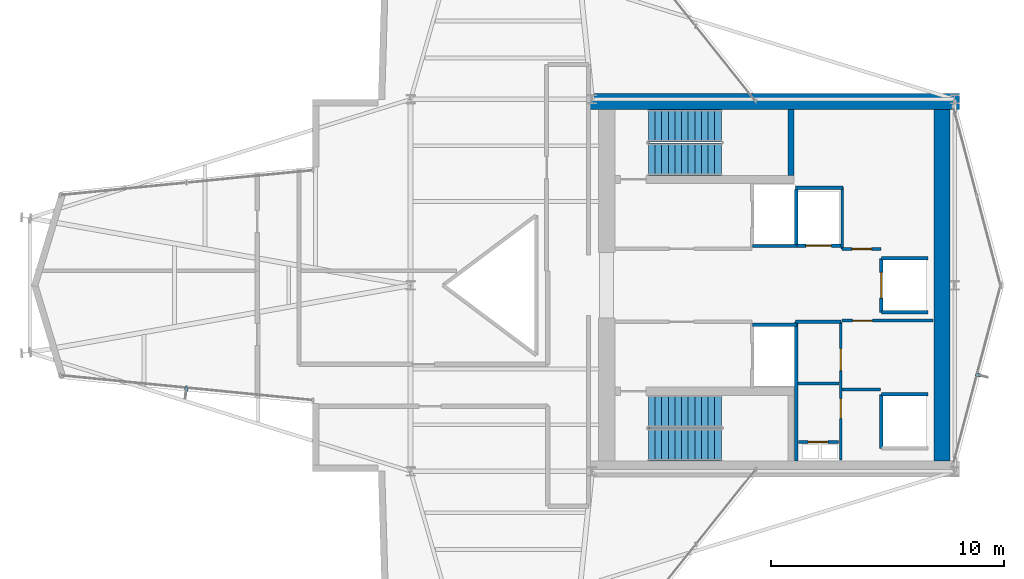
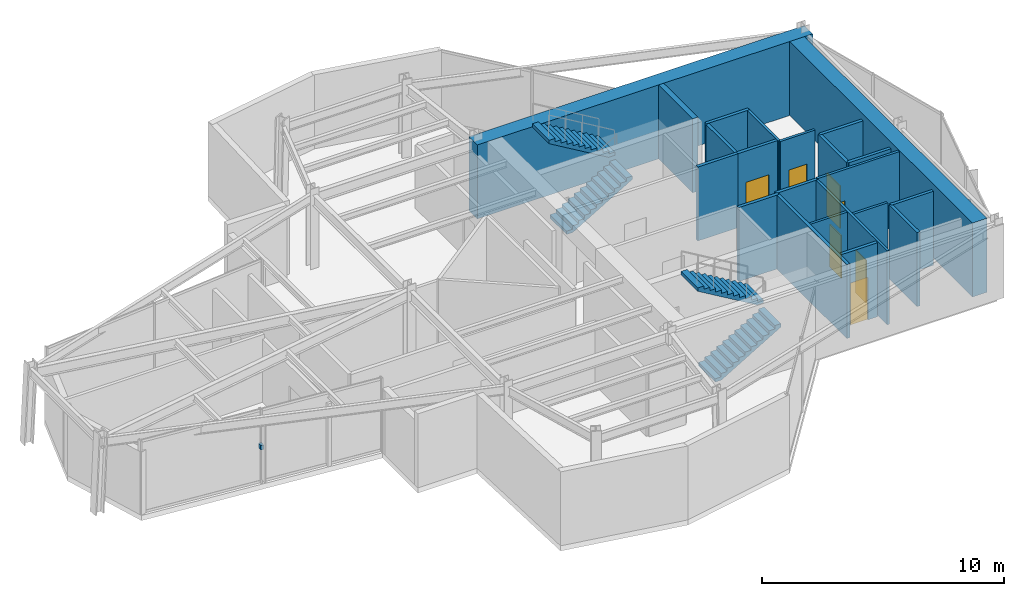
# One storey, part 22 of 23: 22 walls, 7 doors, 4 stair flights, 2 discrete accessories, 7 openings, 2 elements without a shape of their own.
"""IFC4 building model written with IfcOpenShell, lengths in metres."""

from ifc_helpers import new_model, si_unit, direction, frame, frame_2d, origin, origin_2d, place, context, subcontext, project, spatial, polyline, rectangle, outline, extrude, material, layer, layer_set, type_object, element, fill, aggregate, save


model = new_model("IFC4")

# Units and contexts
model_context = context("Model", 3, precision=1e-05, world=origin(), true_north=direction((0.0, 1.0)))
body_context = subcontext(model_context, "Body", "Model", "MODEL_VIEW")
ifc_project = project(units=[si_unit("LENGTHUNIT", "METRE"), si_unit("AREAUNIT", "SQUARE_METRE"), si_unit("VOLUMEUNIT", "CUBIC_METRE"), si_unit("PLANEANGLEUNIT", "RADIAN"), si_unit("MASSUNIT", "GRAM", prefix="KILO")], contexts=[model_context])

# Site, building, storey
site_placement = place(None, origin())
site = spatial("IfcSite", under=ifc_project, at=site_placement, CompositionType="ELEMENT")
building_placement = place(site_placement, origin())
building = spatial("IfcBuilding", under=site, at=building_placement, Name="Veymaron Broadcast Tower", CompositionType="ELEMENT")
storey_placement = place(building_placement, frame((0.0, 0.0, 252.60009765625)))
storey = spatial("IfcBuildingStorey", under=building, at=storey_placement, Name="L59", CompositionType="ELEMENT", Elevation=252.60009765625)

# Walls
ifc_material_1 = material(Name="Gypsum fireboard and steel stud framing", Category="steel")
ifc_layer_1 = layer(ifc_material_1, 0.14990234375)
ifc_layer_set_1 = layer_set([ifc_layer_1], Name="Gypsum fireboard and steel stud framing")
wall_type_1 = type_object("IfcWallType", Name="WALL-FIRE-150", PredefinedType="PARTITIONING", material=ifc_layer_set_1)
for number, where, z_axis, x_axis, name in (
    (1, (45.89501953125, 25.68994140625, 0.0), (0.0, 0.0, 1.0), (1.0, 0.0, 0.0), "L59 partition IW-L59-SHS-FFL-1"),
    (2, (45.89501953125, 22.31005859375, 0.0), (0.0, 0.0, 1.0), (1.0, 0.0, 0.0), "L59 partition IW-L59-SHN-FFL-2"),
):
    element("IfcWall", number, at=place(storey_placement, frame(where, z_axis=z_axis, x_axis=x_axis)), inside=storey, type_object=wall_type_1, Name=name, PredefinedType="PARTITIONING", context=body_context, shape_type="SweptSolid", body=[
        extrude(rectangle(XDim=1.9150390625, YDim=0.14990234375, at=frame_2d((0.95751953125, 0.0))), origin(), (0.0, 0.0, 1.0), 3.72998046875),
    ])

# Wall, opening, door
wall_1_placement = place(storey_placement, frame((47.7900390625, 25.695068359375, 0.0), z_axis=(0.0, 0.0, 1.0), x_axis=(1.0, 0.0, 0.0)))
wall_1 = element("IfcWall", 3, at=wall_1_placement, inside=storey, type_object=wall_type_1, Name="L59 partition IW-L59-SHS-SL-1", PredefinedType="PARTITIONING", context=body_context, shape_type="SweptSolid", body=[
    extrude(rectangle(XDim=1.919921875, YDim=0.14990234375, at=frame_2d((0.9599609375, 0.0))), origin(), (0.0, 0.0, 1.0), 3.72998046875),
])
opening_1_placement = place(wall_1_placement, frame((0.409912109375, 0.0, 0.0)))
opening_1 = element("IfcOpeningElement", 4, at=opening_1_placement, cuts=wall_1, Name="Opening LD", PredefinedType="OPENING", context=body_context, shape_type="SweptSolid", body=[
    extrude(rectangle(XDim=1.10009765625, YDim=2.14990234375, at=frame_2d((0.550048828125, 1.074951171875))), frame((0.0, 0.0849609375, 0.0), z_axis=(0.0, -1.0, 0.0), x_axis=(1.0, 0.0, 0.0)), (0.0, 0.0, 1.0), 0.169921875),
])
ifc_material_2 = material(Name="Brushed stainless steel AISI 304", Category="steel")
door_type_1 = type_object("IfcDoorType", Name="DOOR-LIFT-1100", OperationType="DOUBLE_DOOR_SLIDING", PredefinedType="DOOR", material=ifc_material_2)
door_1_placement = place(opening_1_placement, frame((1.10009765625, 0.0, 0.0), z_axis=(0.0, 0.0, 1.0), x_axis=(-1.0, 0.0, 0.0)))
door_1 = element("IfcDoor", 5, at=door_1_placement, inside=storey, type_object=door_type_1, Name="L59 door LD-L59-SL-1", OperationType="DOUBLE_DOOR_SLIDING", OverallHeight=2.14990234375, OverallWidth=1.10009765625, PredefinedType="DOOR", context=body_context, shape_type="SweptSolid", body=[
    extrude(rectangle(XDim=1.10009765625, YDim=2.14990234375, at=frame_2d((0.550048828125, 1.074951171875))), frame((0.0, 0.02490234375, 0.0), z_axis=(0.0, -1.0, 0.0), x_axis=(1.0, 0.0, 0.0)), (0.0, 0.0, 1.0), 0.050048828125),
])
fill(opening_1, door_1)

# Wall
wall_2_placement = place(storey_placement, frame((47.7900390625, 25.695068359375, 0.0), z_axis=(0.0, 0.0, 1.0), x_axis=(0.0, 1.0, 0.0)))
element("IfcWall", 6, at=wall_2_placement, inside=storey, type_object=wall_type_1, Name="L59 partition IW-L59-SHW-SL-1", PredefinedType="PARTITIONING", context=body_context, shape_type="SweptSolid", body=[
    extrude(rectangle(XDim=2.4150390625, YDim=0.14990234375, at=frame_2d((1.20751953125, 0.0))), origin(), (0.0, 0.0, 1.0), 3.72998046875),
])

# Wall, opening, door
wall_3_placement = place(storey_placement, frame((51.445068359375, 22.840087890625, 0.0), z_axis=(0.0, 0.0, 1.0), x_axis=(0.0, 1.0, 0.0)))
wall_3 = element("IfcWall", 7, at=wall_3_placement, inside=storey, type_object=wall_type_1, Name="L59 partition IW-L59-SHW-PM3", PredefinedType="PARTITIONING", context=body_context, shape_type="SweptSolid", body=[
    extrude(rectangle(XDim=2.31982421875, YDim=0.14990234375, at=frame_2d((1.159912109375, 0.0))), origin(), (0.0, 0.0, 1.0), 3.72998046875),
])
opening_2_placement = place(wall_3_placement, frame((0.610107421875, 0.0, 0.0)))
opening_2 = element("IfcOpeningElement", 8, at=opening_2_placement, cuts=wall_3, Name="Opening LD", PredefinedType="OPENING", context=body_context, shape_type="SweptSolid", body=[
    extrude(rectangle(XDim=1.10009765625, YDim=2.14990234375, at=frame_2d((0.550048828125, 1.074951171875))), frame((0.0, 0.0849609375, 0.0), z_axis=(0.0, -1.0, 0.0), x_axis=(1.0, 0.0, 0.0)), (0.0, 0.0, 1.0), 0.169921875),
])
door_2_placement = place(opening_2_placement, frame((1.10009765625, 0.0, 0.0), z_axis=(0.0, 0.0, 1.0), x_axis=(-1.0, 0.0, 0.0)))
door_2 = element("IfcDoor", 9, at=door_2_placement, inside=storey, type_object=door_type_1, Name="L59 door LD-L59-PM3", OperationType="DOUBLE_DOOR_SLIDING", OverallHeight=2.14990234375, OverallWidth=1.10009765625, PredefinedType="DOOR", context=body_context, shape_type="SweptSolid", body=[
    extrude(rectangle(XDim=1.10009765625, YDim=2.14990234375, at=frame_2d((0.550048828125, 1.074951171875))), frame((0.0, 0.02490234375, 0.0), z_axis=(0.0, -1.0, 0.0), x_axis=(1.0, 0.0, 0.0)), (0.0, 0.0, 1.0), 0.050048828125),
])
fill(opening_2, door_2)

# Walls
for number, where, z_axis, x_axis, name in (
    (10, (51.445068359375, 22.840087890625, 0.0), (0.0, 0.0, 1.0), (1.0, 0.0, 0.0), "L59 partition IW-L59-SHS-PM3"),
    (11, (51.445068359375, 25.159912109375, 0.0), (0.0, 0.0, 1.0), (1.0, 0.0, 0.0), "L59 partition IW-L59-SHN-PM3"),
):
    element("IfcWall", number, at=place(storey_placement, frame(where, z_axis=z_axis, x_axis=x_axis)), inside=storey, type_object=wall_type_1, Name=name, PredefinedType="PARTITIONING", context=body_context, shape_type="SweptSolid", body=[
        extrude(rectangle(XDim=2.014892578125, YDim=0.14990234375, at=frame_2d((1.00732421875, 0.0))), origin(), (0.0, 0.0, 1.0), 3.72998046875),
    ])
wall_4_placement = place(storey_placement, frame((51.445068359375, 16.989990234375, 0.0), z_axis=(0.0, 0.0, 1.0), x_axis=(0.0, 1.0, 0.0)))
element("IfcWall", 12, at=wall_4_placement, inside=storey, type_object=wall_type_1, Name="L59 partition IW-L59-SHW-PH1", PredefinedType="PARTITIONING", context=body_context, shape_type="SweptSolid", body=[
    extrude(rectangle(XDim=2.320068359375, YDim=0.14990234375, at=frame_2d((1.16015625, 0.0))), origin(), (0.0, 0.0, 1.0), 3.72998046875),
])
wall_5_placement = place(storey_placement, frame((51.445068359375, 19.31005859375, 0.0), z_axis=(0.0, 0.0, 1.0), x_axis=(1.0, 0.0, 0.0)))
element("IfcWall", 13, at=wall_5_placement, inside=storey, type_object=wall_type_1, Name="L59 partition IW-L59-SHN-PH1", PredefinedType="PARTITIONING", context=body_context, shape_type="SweptSolid", body=[
    extrude(rectangle(XDim=2.014892578125, YDim=0.14990234375, at=frame_2d((1.00732421875, 0.0))), origin(), (0.0, 0.0, 1.0), 3.72998046875),
])

# Wall, opening, door
wall_6_placement = place(storey_placement, frame((47.8798828125, 17.260009765625, 0.0), z_axis=(0.0, 0.0, 1.0), x_axis=(1.0, 0.0, 0.0)))
wall_6 = element("IfcWall", 14, at=wall_6_placement, inside=storey, type_object=wall_type_1, Name="L59 partition IW-L59-RIS-N", PredefinedType="PARTITIONING", context=body_context, shape_type="SweptSolid", body=[
    extrude(rectangle(XDim=1.72021484375, YDim=0.14990234375, at=frame_2d((0.860107421875, 0.0))), origin(), (0.0, 0.0, 1.0), 3.72998046875),
])
opening_3_placement = place(wall_6_placement, frame((0.419921875, 0.0, 0.0)))
opening_3 = element("IfcOpeningElement", 15, at=opening_3_placement, cuts=wall_6, Name="Opening ID-RS1", PredefinedType="OPENING", context=body_context, shape_type="SweptSolid", body=[
    extrude(rectangle(XDim=0.85009765625, YDim=2.14990234375, at=frame_2d((0.425048828125, 1.074951171875))), frame((0.0, 0.0849609375, 0.0), z_axis=(0.0, -1.0, 0.0), x_axis=(1.0, 0.0, 0.0)), (0.0, 0.0, 1.0), 0.169921875),
])
ifc_material_3 = material(Name="Fire-rated powder-coated steel riser leaf", Category="steel")
door_type_2 = type_object("IfcDoorType", Name="DOOR-RIS-850", OperationType="NOTDEFINED", PredefinedType="TRAPDOOR", material=ifc_material_3)
door_3_placement = place(opening_3_placement, origin())
door_3 = element("IfcDoor", 16, at=door_3_placement, inside=storey, type_object=door_type_2, Name="L59 door DR-L59-RIS", OperationType="SINGLE_SWING_LEFT", OverallHeight=2.14990234375, OverallWidth=0.85009765625, PredefinedType="TRAPDOOR", context=body_context, shape_type="SweptSolid", body=[
    extrude(rectangle(XDim=0.85009765625, YDim=2.14990234375, at=frame_2d((0.425048828125, 1.074951171875))), frame((0.0, 0.02490234375, 0.0), z_axis=(0.0, -1.0, 0.0), x_axis=(1.0, 0.0, 0.0)), (0.0, 0.0, 1.0), 0.050048828125),
])
fill(opening_3, door_3)

# Walls
wall_7_placement = place(storey_placement, frame((47.760009765625, 22.425048828125, 0.0), z_axis=(0.0, 0.0, 1.0), x_axis=(1.0, 0.0, 0.0)))
element("IfcWall", 17, at=wall_7_placement, inside=storey, type_object=wall_type_1, Name="L59 partition IW-L59-SM-N", PredefinedType="PARTITIONING", context=body_context, shape_type="SweptSolid", body=[
    extrude(rectangle(XDim=1.9599609375, YDim=0.14990234375, at=frame_2d((0.97998046875, 0.0))), origin(), (0.0, 0.0, 1.0), 3.72998046875),
])
wall_8_placement = place(storey_placement, frame((47.780029296875, 16.449951171875, 0.0), z_axis=(0.0, 0.0, 1.0), x_axis=(0.0, 1.0, 0.0)))
element("IfcWall", 18, at=wall_8_placement, inside=storey, type_object=wall_type_1, Name="L59 partition IW-L59-SM-W", PredefinedType="PARTITIONING", context=body_context, shape_type="SweptSolid", body=[
    extrude(rectangle(XDim=5.97509765625, YDim=0.14990234375, at=frame_2d((2.987548828125, 0.0))), origin(), (0.0, 0.0, 1.0), 3.72998046875),
])
wall_9_placement = place(storey_placement, frame((47.760009765625, 28.199951171875, 0.0), z_axis=(0.0, 0.0, 1.0), x_axis=(1.0, 0.0, 0.0)))
element("IfcWall", 19, at=wall_9_placement, inside=storey, type_object=wall_type_1, Name="L59 partition IW-L59-F2-SW", PredefinedType="PARTITIONING", context=body_context, shape_type="SweptSolid", body=[
    extrude(rectangle(XDim=2.0400390625, YDim=0.14990234375, at=frame_2d((1.02001953125, 0.0))), origin(), (0.0, 0.0, 1.0), 3.72998046875),
])
ifc_material_4 = material(Name="Acoustic gypsum board and galvanized stud", Category="gypsum")
ifc_layer_2 = layer(ifc_material_4, 0.1201171875)
ifc_layer_set_2 = layer_set([ifc_layer_2], Name="Acoustic gypsum board and galvanized stud")
wall_type_2 = type_object("IfcWallType", Name="WALL-PART-120", PredefinedType="PARTITIONING", material=ifc_layer_set_2)
wall_10_placement = place(storey_placement, frame((47.860107421875, 19.780029296875, 0.0), z_axis=(0.0, 0.0, 1.0), x_axis=(1.0, 0.0, 0.0)))
element("IfcWall", 20, at=wall_10_placement, inside=storey, type_object=wall_type_2, Name="L59 partition IW-L59-SM-DIV", PredefinedType="PARTITIONING", context=body_context, shape_type="SweptSolid", body=[
    extrude(rectangle(XDim=1.760009765625, YDim=0.1201171875, at=frame_2d((0.8798828125, 0.0))), origin(), (0.0, 0.0, 1.0), 3.72998046875),
])

# Wall, openings, doors
wall_11_placement = place(storey_placement, frame((49.699951171875, 16.47998046875, 0.0), z_axis=(0.0, 0.0, 1.0), x_axis=(0.0, 1.0, 0.0)))
wall_11 = element("IfcWall", 21, at=wall_11_placement, inside=storey, type_object=wall_type_2, Name="L59 partition IW-L59-SM-E", PredefinedType="PARTITIONING", context=body_context, shape_type="SweptSolid", body=[
    extrude(rectangle(XDim=5.945068359375, YDim=0.1201171875, at=frame_2d((2.97265625, 0.0))), origin(), (0.0, 0.0, 1.0), 3.72998046875),
])
opening_4_placement = place(wall_11_placement, frame((1.800048828125, 0.0, 0.0)))
opening_4 = element("IfcOpeningElement", 22, at=opening_4_placement, cuts=wall_11, Name="Opening ID-WC1", PredefinedType="OPENING", context=body_context, shape_type="SweptSolid", body=[
    extrude(rectangle(XDim=0.85009765625, YDim=2.14990234375, at=frame_2d((0.425048828125, 1.074951171875))), frame((0.0, 0.070068359375, 0.0), z_axis=(0.0, -1.0, 0.0), x_axis=(1.0, 0.0, 0.0)), (0.0, 0.0, 1.0), 0.14013671875),
])
opening_5_placement = place(wall_11_placement, frame((3.85009765625, 0.0, 0.0)))
opening_5 = element("IfcOpeningElement", 23, at=opening_5_placement, cuts=wall_11, Name="Opening ID-RM1", PredefinedType="OPENING", context=body_context, shape_type="SweptSolid", body=[
    extrude(rectangle(XDim=0.949951171875, YDim=2.14990234375, at=frame_2d((0.47509765625, 1.074951171875))), frame((0.0, 0.070068359375, 0.0), z_axis=(0.0, -1.0, 0.0), x_axis=(1.0, 0.0, 0.0)), (0.0, 0.0, 1.0), 0.14013671875),
])
ifc_material_5 = material(Name="Moisture-resistant high-pressure laminate timber", Category="wood")
door_type_3 = type_object("IfcDoorType", Name="DOOR-INT-850", OperationType="NOTDEFINED", PredefinedType="DOOR", material=ifc_material_5)
door_4_placement = place(opening_4_placement, frame((0.85009765625, 0.0, 0.0), z_axis=(0.0, 0.0, 1.0), x_axis=(-1.0, 0.0, 0.0)))
door_4 = element("IfcDoor", 24, at=door_4_placement, inside=storey, type_object=door_type_3, Name="L59 door DR-L59-SWC", OperationType="SINGLE_SWING_LEFT", OverallHeight=2.14990234375, OverallWidth=0.85009765625, PredefinedType="DOOR", context=body_context, shape_type="SweptSolid", body=[
    extrude(rectangle(XDim=0.85009765625, YDim=2.14990234375, at=frame_2d((0.425048828125, 1.074951171875))), frame((0.0, 0.02490234375, 0.0), z_axis=(0.0, -1.0, 0.0), x_axis=(1.0, 0.0, 0.0)), (0.0, 0.0, 1.0), 0.050048828125),
])
fill(opening_4, door_4)
ifc_material_6 = material(Name="Acoustic solid-core European oak veneer timber", Category="wood")
door_type_4 = type_object("IfcDoorType", Name="DOOR-INT-950", OperationType="NOTDEFINED", PredefinedType="DOOR", material=ifc_material_6)
door_5_placement = place(opening_5_placement, frame((0.949951171875, 0.0, 0.0), z_axis=(0.0, 0.0, 1.0), x_axis=(-1.0, 0.0, 0.0)))
door_5 = element("IfcDoor", 25, at=door_5_placement, inside=storey, type_object=door_type_4, Name="L59 door DR-L59-AWC", OperationType="SINGLE_SWING_RIGHT", OverallHeight=2.14990234375, OverallWidth=0.949951171875, PredefinedType="DOOR", context=body_context, shape_type="SweptSolid", body=[
    extrude(rectangle(XDim=0.949951171875, YDim=2.14990234375, at=frame_2d((0.47509765625, 1.074951171875))), frame((0.0, 0.02490234375, 0.0), z_axis=(0.0, -1.0, 0.0), x_axis=(1.0, 0.0, 0.0)), (0.0, 0.0, 1.0), 0.050048828125),
])
fill(opening_5, door_5)

# Wall, opening, door
wall_12_placement = place(storey_placement, frame((49.760009765625, 22.47998046875, 0.0), z_axis=(0.0, 0.0, 1.0), x_axis=(1.0, 0.0, 0.0)))
wall_12 = element("IfcWall", 26, at=wall_12_placement, inside=storey, type_object=wall_type_2, Name="L59 partition IW-L59-F2S-N", PredefinedType="PARTITIONING", context=body_context, shape_type="SweptSolid", body=[
    extrude(rectangle(XDim=3.89990234375, YDim=0.1201171875, at=frame_2d((1.949951171875, 0.0))), origin(), (0.0, 0.0, 1.0), 3.72998046875),
])
opening_6_placement = place(wall_12_placement, frame((0.449951171875, 0.0, 0.0)))
opening_6 = element("IfcOpeningElement", 27, at=opening_6_placement, cuts=wall_12, Name="Opening ID-WC1", PredefinedType="OPENING", context=body_context, shape_type="SweptSolid", body=[
    extrude(rectangle(XDim=0.85009765625, YDim=2.14990234375, at=frame_2d((0.425048828125, 1.074951171875))), frame((0.0, 0.070068359375, 0.0), z_axis=(0.0, -1.0, 0.0), x_axis=(1.0, 0.0, 0.0)), (0.0, 0.0, 1.0), 0.14013671875),
])
door_6_placement = place(opening_6_placement, frame((0.85009765625, 0.0, 0.0), z_axis=(0.0, 0.0, 1.0), x_axis=(-1.0, 0.0, 0.0)))
door_6 = element("IfcDoor", 28, at=door_6_placement, inside=storey, type_object=door_type_3, Name="L59 door DR-L59-F2S", OperationType="SINGLE_SWING_LEFT", OverallHeight=2.14990234375, OverallWidth=0.85009765625, PredefinedType="DOOR", context=body_context, shape_type="SweptSolid", body=[
    extrude(rectangle(XDim=0.85009765625, YDim=2.14990234375, at=frame_2d((0.425048828125, 1.074951171875))), frame((0.0, 0.02490234375, 0.0), z_axis=(0.0, -1.0, 0.0), x_axis=(1.0, 0.0, 0.0)), (0.0, 0.0, 1.0), 0.050048828125),
])
fill(opening_6, door_6)

# Walls
wall_13_placement = place(storey_placement, frame((49.760009765625, 19.52001953125, 0.0), z_axis=(0.0, 0.0, 1.0), x_axis=(1.0, 0.0, 0.0)))
element("IfcWall", 29, at=wall_13_placement, inside=storey, type_object=wall_type_2, Name="L59 partition IW-L59-F2S-S", PredefinedType="PARTITIONING", context=body_context, shape_type="SweptSolid", body=[
    extrude(rectangle(XDim=1.639892578125, YDim=0.1201171875, at=frame_2d((0.81982421875, 0.0))), origin(), (0.0, 0.0, 1.0), 3.72998046875),
])
wall_14_placement = place(storey_placement, frame((49.760009765625, 25.56005859375, 0.0), z_axis=(0.0, 0.0, 1.0), x_axis=(0.0, 1.0, 0.0)))
element("IfcWall", 30, at=wall_14_placement, inside=storey, type_object=wall_type_2, Name="L59 partition IW-L59-F2-W1", PredefinedType="PARTITIONING", context=body_context, shape_type="SweptSolid", body=[
    extrude(rectangle(XDim=2.659912109375, YDim=0.1201171875, at=frame_2d((1.330078125, 0.0))), origin(), (0.0, 0.0, 1.0), 3.72998046875),
])

# Wall, opening, door
wall_15_placement = place(storey_placement, frame((49.760009765625, 25.56005859375, 0.0), z_axis=(0.0, 0.0, 1.0), x_axis=(1.0, 0.0, 0.0)))
wall_15 = element("IfcWall", 31, at=wall_15_placement, inside=storey, type_object=wall_type_2, Name="L59 partition IW-L59-F2-S", PredefinedType="PARTITIONING", context=body_context, shape_type="SweptSolid", body=[
    extrude(rectangle(XDim=1.659912109375, YDim=0.1201171875, at=frame_2d((0.830078125, 0.0))), origin(), (0.0, 0.0, 1.0), 3.72998046875),
])
opening_7_placement = place(wall_15_placement, frame((0.419921875, 0.0, 0.0)))
opening_7 = element("IfcOpeningElement", 32, at=opening_7_placement, cuts=wall_15, Name="Opening ID-WC1", PredefinedType="OPENING", context=body_context, shape_type="SweptSolid", body=[
    extrude(rectangle(XDim=0.85009765625, YDim=2.14990234375, at=frame_2d((0.425048828125, 1.074951171875))), frame((0.0, 0.070068359375, 0.0), z_axis=(0.0, -1.0, 0.0), x_axis=(1.0, 0.0, 0.0)), (0.0, 0.0, 1.0), 0.14013671875),
])
door_7_placement = place(opening_7_placement, origin())
door_7 = element("IfcDoor", 33, at=door_7_placement, inside=storey, type_object=door_type_3, Name="L59 door DR-L59-F2A", OperationType="SINGLE_SWING_LEFT", OverallHeight=2.14990234375, OverallWidth=0.85009765625, PredefinedType="DOOR", context=body_context, shape_type="SweptSolid", body=[
    extrude(rectangle(XDim=0.85009765625, YDim=2.14990234375, at=frame_2d((0.425048828125, 1.074951171875))), frame((0.0, 0.02490234375, 0.0), z_axis=(0.0, -1.0, 0.0), x_axis=(1.0, 0.0, 0.0)), (0.0, 0.0, 1.0), 0.050048828125),
])
fill(opening_7, door_7)

# Walls
ifc_material_7 = material(Name="Concrete C50/60", Category="concrete")
ifc_layer_3 = layer(ifc_material_7, 0.25)
ifc_layer_set_3 = layer_set([ifc_layer_3], Name="Concrete C50/60")
wall_type_3 = type_object("IfcWallType", Name="WALL-SHEAR-250", PredefinedType="SHEAR", material=ifc_layer_set_3)
wall_16_placement = place(storey_placement, frame((47.56494140625, 28.72998046875, 0.0), z_axis=(0.0, 0.0, 1.0), x_axis=(0.0, 1.0, 0.0)))
element("IfcWall", 34, at=wall_16_placement, inside=storey, type_object=wall_type_3, Name="L59 Core Wall north stair east shear", PredefinedType="SHEAR", context=body_context, shape_type="SweptSolid", body=[
    extrude(rectangle(XDim=2.820068359375, YDim=0.25, at=frame_2d((1.41015625, 0.0))), origin(), (0.0, 0.0, 1.0), 3.72998046875),
])
ifc_material_8 = material(Name="Concrete C60/75", Category="concrete")
ifc_layer_4 = layer(ifc_material_8, 0.699951171875)
ifc_layer_set_4 = layer_set([ifc_layer_4], Name="Concrete C60/75")
wall_type_4 = type_object("IfcWallType", Name="WALL-SHEAR-700", PredefinedType="SHEAR", material=ifc_layer_set_4)
wall_17_placement = place(storey_placement, frame((38.800048828125, 31.89990234375, 0.0), z_axis=(0.0, 0.0, 1.0), x_axis=(1.0, 0.0, 0.0)))
element("IfcWall", 35, at=wall_17_placement, inside=storey, type_object=wall_type_4, Name="L59 Core Wall north shear", PredefinedType="SHEAR", context=body_context, shape_type="SweptSolid", body=[
    extrude(rectangle(XDim=16.0, YDim=0.699951171875, at=frame_2d((8.0, 0.0))), origin(), (0.0, 0.0, 1.0), 3.72998046875),
])
wall_18_placement = place(storey_placement, frame((54.050048828125, 16.449951171875, 0.0), z_axis=(0.0, 0.0, 1.0), x_axis=(0.0, 1.0, 0.0)))
element("IfcWall", 36, at=wall_18_placement, inside=storey, type_object=wall_type_4, Name="L59 Core Wall east shear", PredefinedType="SHEAR", context=body_context, shape_type="SweptSolid", body=[
    extrude(rectangle(XDim=15.10009765625, YDim=0.699951171875, at=frame_2d((7.550048828125, 0.0))), origin(), (0.0, 0.0, 1.0), 3.72998046875),
])

# Stair, stair flights
stair_type_1 = type_object("IfcStairType", Name="STAIR-CORE-1", PredefinedType="HALF_TURN_STAIR", material=ifc_material_7)
stair_1_placement = place(storey_placement, origin())
stair_1 = element("IfcStair", 37, at=stair_1_placement, inside=storey, type_object=stair_type_1, Name="L59 North protected dog-leg exit stair ST1", PredefinedType="HALF_TURN_STAIR")
ifc_material_9 = material(Name="Precast concrete C50/60", Category="concrete")
stair_flight_type = type_object("IfcStairFlightType", Name="FLT-CORE-RC", PredefinedType="STRAIGHT", material=ifc_material_9)
stair_flight_1_placement = place(storey_placement, frame((41.429931640625, 29.419921875, 0.0), z_axis=(0.0, 0.0, 1.0), x_axis=(1.0, 0.0, 0.0)))
stair_flight_1 = element("IfcStairFlight", 38, at=stair_flight_1_placement, type_object=stair_flight_type, Name="ST1 flight 1", NumberOfRisers=12, NumberOfTreads=11, PredefinedType="STRAIGHT", RiserHeight=0.16875, TreadLength=0.285, context=body_context, shape_type="SweptSolid", body=[
    extrude(outline(polyline([(0.0, 0.0), (0.0, 0.168701171875), (0.284912109375, 0.168701171875), (0.284912109375, 0.33740234375), (0.570068359375, 0.33740234375), (0.570068359375, 0.50634765625), (0.85498046875, 0.50634765625), (0.85498046875, 0.675048828125), (1.139892578125, 0.675048828125), (1.139892578125, 0.84375), (1.425048828125, 0.84375), (1.425048828125, 1.012451171875), (1.7099609375, 1.012451171875), (1.7099609375, 1.18115234375), (1.9951171875, 1.18115234375), (1.9951171875, 1.35009765625), (2.280029296875, 1.35009765625), (2.280029296875, 1.518798828125), (2.56494140625, 1.518798828125), (2.56494140625, 1.6875), (2.85009765625, 1.6875), (2.85009765625, 1.856201171875), (3.135009765625, 1.856201171875), (3.135009765625, 2.02490234375), (3.135009765625, 1.68212890625), (0.294189453125, 0.0), (0.0, 0.0)])), frame((0.0, 0.68994140625, 0.0), z_axis=(0.0, -1.0, 0.0), x_axis=(1.0, 0.0, 0.0)), (0.0, 0.0, 1.0), 1.3798828125),
])
stair_flight_2_placement = place(storey_placement, frame((44.56494140625, 30.860107421875, 2.02490234375), z_axis=(0.0, 0.0, 1.0), x_axis=(-1.0, 0.0, 0.0)))
stair_flight_2 = element("IfcStairFlight", 39, at=stair_flight_2_placement, type_object=stair_flight_type, Name="ST1 flight 2", NumberOfRisers=12, NumberOfTreads=11, PredefinedType="STRAIGHT", RiserHeight=0.16875, TreadLength=0.285, context=body_context, shape_type="SweptSolid", body=[
    extrude(outline(polyline([(0.0, 0.0), (0.0, 0.168701171875), (0.284912109375, 0.168701171875), (0.284912109375, 0.33740234375), (0.570068359375, 0.33740234375), (0.570068359375, 0.50634765625), (0.85498046875, 0.50634765625), (0.85498046875, 0.675048828125), (1.139892578125, 0.675048828125), (1.139892578125, 0.84375), (1.425048828125, 0.84375), (1.425048828125, 1.012451171875), (1.7099609375, 1.012451171875), (1.7099609375, 1.18115234375), (1.9951171875, 1.18115234375), (1.9951171875, 1.35009765625), (2.280029296875, 1.35009765625), (2.280029296875, 1.518798828125), (2.56494140625, 1.518798828125), (2.56494140625, 1.6875), (2.85009765625, 1.6875), (2.85009765625, 1.856201171875), (3.135009765625, 1.856201171875), (3.135009765625, 2.02490234375), (3.135009765625, 1.68212890625), (0.294189453125, 0.0), (0.0, 0.0)])), frame((0.0, 0.68994140625, 0.0), z_axis=(0.0, -1.0, 0.0), x_axis=(1.0, 0.0, 0.0)), (0.0, 0.0, 1.0), 1.3798828125),
])
aggregate(stair_1, [stair_flight_1, stair_flight_2])

stair_type_2 = type_object("IfcStairType", Name="STAIR-CORE-2", PredefinedType="HALF_TURN_STAIR", material=ifc_material_7)
stair_2_placement = place(storey_placement, origin())
stair_2 = element("IfcStair", 40, at=stair_2_placement, inside=storey, type_object=stair_type_2, Name="L59 South protected dog-leg exit stair ST2", PredefinedType="HALF_TURN_STAIR")
stair_flight_3_placement = place(storey_placement, frame((41.429931640625, 17.139892578125, 0.0), z_axis=(0.0, 0.0, 1.0), x_axis=(1.0, 0.0, 0.0)))
stair_flight_3 = element("IfcStairFlight", 41, at=stair_flight_3_placement, type_object=stair_flight_type, Name="ST2 flight 1", NumberOfRisers=12, NumberOfTreads=11, PredefinedType="STRAIGHT", RiserHeight=0.16875, TreadLength=0.285, context=body_context, shape_type="SweptSolid", body=[
    extrude(outline(polyline([(0.0, 0.0), (0.0, 0.168701171875), (0.284912109375, 0.168701171875), (0.284912109375, 0.33740234375), (0.570068359375, 0.33740234375), (0.570068359375, 0.50634765625), (0.85498046875, 0.50634765625), (0.85498046875, 0.675048828125), (1.139892578125, 0.675048828125), (1.139892578125, 0.84375), (1.425048828125, 0.84375), (1.425048828125, 1.012451171875), (1.7099609375, 1.012451171875), (1.7099609375, 1.18115234375), (1.9951171875, 1.18115234375), (1.9951171875, 1.35009765625), (2.280029296875, 1.35009765625), (2.280029296875, 1.518798828125), (2.56494140625, 1.518798828125), (2.56494140625, 1.6875), (2.85009765625, 1.6875), (2.85009765625, 1.856201171875), (3.135009765625, 1.856201171875), (3.135009765625, 2.02490234375), (3.135009765625, 1.68212890625), (0.294189453125, 0.0), (0.0, 0.0)])), frame((0.0, 0.68994140625, 0.0), z_axis=(0.0, -1.0, 0.0), x_axis=(1.0, 0.0, 0.0)), (0.0, 0.0, 1.0), 1.3798828125),
])
stair_flight_4_placement = place(storey_placement, frame((44.56494140625, 18.580078125, 2.02490234375), z_axis=(0.0, 0.0, 1.0), x_axis=(-1.0, 0.0, 0.0)))
stair_flight_4 = element("IfcStairFlight", 42, at=stair_flight_4_placement, type_object=stair_flight_type, Name="ST2 flight 2", NumberOfRisers=12, NumberOfTreads=11, PredefinedType="STRAIGHT", RiserHeight=0.16875, TreadLength=0.285, context=body_context, shape_type="SweptSolid", body=[
    extrude(outline(polyline([(0.0, 0.0), (0.0, 0.168701171875), (0.284912109375, 0.168701171875), (0.284912109375, 0.33740234375), (0.570068359375, 0.33740234375), (0.570068359375, 0.50634765625), (0.85498046875, 0.50634765625), (0.85498046875, 0.675048828125), (1.139892578125, 0.675048828125), (1.139892578125, 0.84375), (1.425048828125, 0.84375), (1.425048828125, 1.012451171875), (1.7099609375, 1.012451171875), (1.7099609375, 1.18115234375), (1.9951171875, 1.18115234375), (1.9951171875, 1.35009765625), (2.280029296875, 1.35009765625), (2.280029296875, 1.518798828125), (2.56494140625, 1.518798828125), (2.56494140625, 1.6875), (2.85009765625, 1.6875), (2.85009765625, 1.856201171875), (3.135009765625, 1.856201171875), (3.135009765625, 2.02490234375), (3.135009765625, 1.68212890625), (0.294189453125, 0.0), (0.0, 0.0)])), frame((0.0, 0.68994140625, 0.0), z_axis=(0.0, -1.0, 0.0), x_axis=(1.0, 0.0, 0.0)), (0.0, 0.0, 1.0), 1.3798828125),
])
aggregate(stair_2, [stair_flight_3, stair_flight_4])

# Discrete accessories
ifc_material_10 = material(Name="Austenitic stainless steel AISI 316L", Category="steel")
ifc_layer_5 = layer(ifc_material_10, 0.1201171875)
ifc_layer_set_5 = layer_set([ifc_layer_5], Name="Austenitic stainless steel AISI 316L")
discrete_accessory_type = type_object("IfcDiscreteAccessoryType", Name="ACC-BRKT-SS1", PredefinedType="BRACKET", material=ifc_layer_set_5)
for number, where, z_axis, x_axis, name in (
    (43, (55.615234375, 20.14111328125, 1.7548828125), (0.0, 0.0, 1.0), (0.966604574963, -0.25627250274, 0.0), "CW-L59-E2-1 fin bracket 1"),
    (44, (21.5498046875, 19.53173828125, 1.7548828125), (0.0, 0.0, 1.0), (-0.097878185373, -0.995198402746, 0.0), "CW-L59-E14-1 fin bracket 1"),
):
    element("IfcDiscreteAccessory", number, at=place(storey_placement, frame(where, z_axis=z_axis, x_axis=x_axis)), inside=storey, type_object=discrete_accessory_type, Name=name, PredefinedType="BRACKET", context=body_context, shape_type="SweptSolid", body=[
        extrude(rectangle(XDim=0.219970703125, YDim=0.139892578125, at=origin_2d()), origin(), (0.0, 0.0, 1.0), 0.219970703125),
    ])

save(model, "model.ifc")
